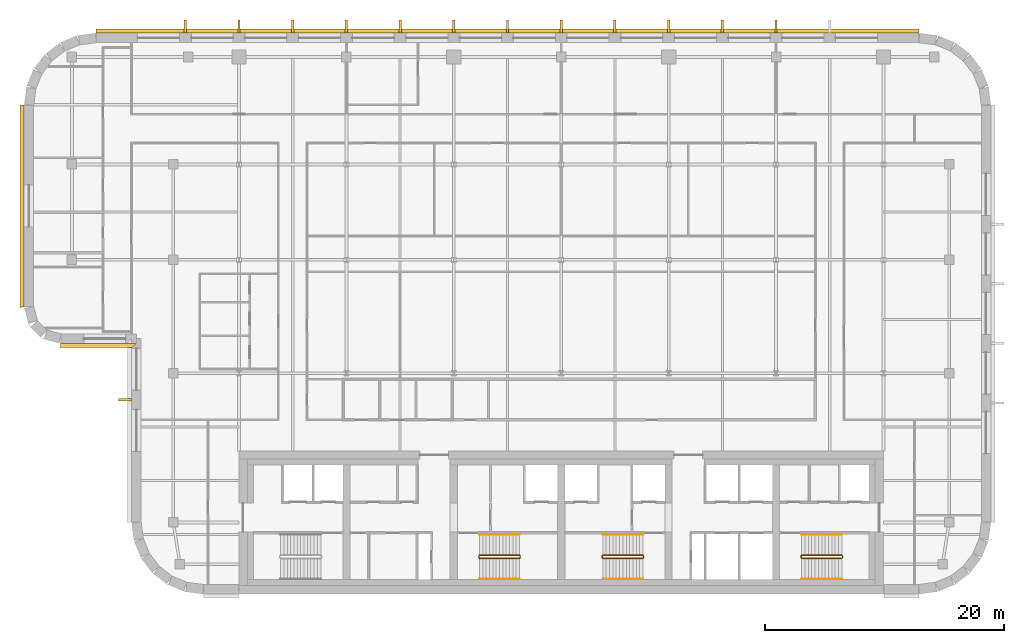
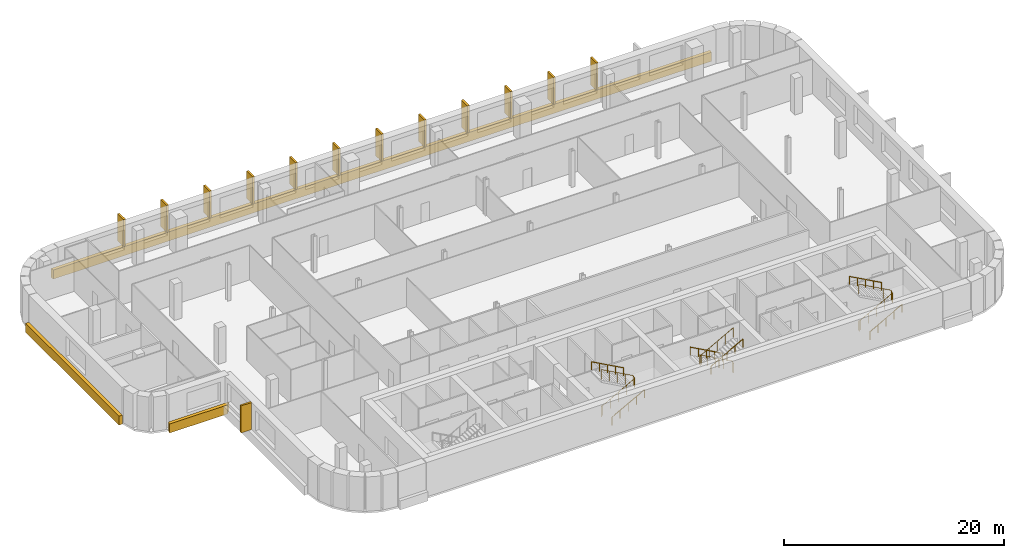
# One storey, part 14 of 16: 16 coverings, 9 railings.
"""IFC4 building model written with IfcOpenShell, lengths in metres."""

from ifc_helpers import new_model, si_unit, direction, frame, origin, origin_2d, place, context, subcontext, project, spatial, polyline, circle, outline, extrude, material, layer, layer_set, type_object, element, save


model = new_model("IFC4")

# Units and contexts
model_context = context("Model", 3, precision=1e-05, world=origin(), true_north=direction((0.0, 1.0)))
body_context = subcontext(model_context, "Body", "Model", "MODEL_VIEW")
ifc_project = project(units=[si_unit("LENGTHUNIT", "METRE"), si_unit("AREAUNIT", "SQUARE_METRE"), si_unit("VOLUMEUNIT", "CUBIC_METRE"), si_unit("PLANEANGLEUNIT", "RADIAN"), si_unit("MASSUNIT", "GRAM", prefix="KILO")], contexts=[model_context])

# Site, building, storey
site_placement = place(None, origin())
site = spatial("IfcSite", under=ifc_project, at=site_placement, CompositionType="ELEMENT")
building_placement = place(site_placement, origin())
building = spatial("IfcBuilding", under=site, at=building_placement, Name="Zellij Exchange Tower", CompositionType="ELEMENT")
storey_placement = place(building_placement, frame((0.0, 0.0, 236.5)))
storey = spatial("IfcBuildingStorey", under=building, at=storey_placement, Name="L55", CompositionType="ELEMENT", Elevation=236.5)

# Railings
ifc_material_1 = material(Name="Stainless steel", Category="steel")
railing_type_1 = type_object("IfcRailingType", Name="CORE-RG stair guard", PredefinedType="GUARDRAIL", material=ifc_material_1)
railing_1_placement = place(storey_placement, frame((-6.89990234375, -10.949951171875, 0.0)))
element("IfcRailing", 1, at=railing_1_placement, inside=storey, type_object=railing_type_1, Name="ST2 stair guard L55", PredefinedType="GUARDRAIL", context=body_context, shape_type="SweptSolid", body=[
    extrude(circle(Radius=0.02392578125, at=origin_2d()), frame((0.0, 0.0, 1.076171875), z_axis=(0.0, 1.0, 0.0), x_axis=(-1.0, 0.0, 0.0)), (0.0, 0.0, 1.0), 0.14990234375),
    extrude(circle(Radius=0.02392578125, at=origin_2d()), frame((0.0, 0.14990234375, 1.076171875), z_axis=(0.193691321961, -0.777613689637, 0.598164376644), x_axis=(0.970351222016, 0.241699205484, 0.0)), (0.0, 0.0, 1.0), 0.257080078125),
    extrude(circle(Radius=0.02392578125, at=origin_2d()), frame((0.0498046875, -0.050048828125, 1.22998046875), z_axis=(0.876421534553, 0.0, 0.481544695509), x_axis=(0.0, 1.0, 0.0)), (0.0, 0.0, 1.0), 3.833984375),
    extrude(circle(Radius=0.02392578125, at=origin_2d()), frame((3.409912109375, -0.050048828125, 3.076171875), z_axis=(0.707106781187, 0.707106781187, 0.0), x_axis=(-0.707106781187, 0.707106781187, 0.0)), (0.0, 0.0, 1.0), 0.07080078125),
    extrude(circle(Radius=0.02392578125, at=origin_2d()), frame((3.4599609375, 0.0, 3.076171875), z_axis=(0.0, 1.0, 0.0), x_axis=(-1.0, 0.0, 0.0)), (0.0, 0.0, 1.0), 0.14990234375),
    extrude(circle(Radius=0.02392578125, at=origin_2d()), frame((3.4599609375, 0.14990234375, 3.076171875), z_axis=(-0.295599637079, 0.295599637079, 0.908428152975), x_axis=(-0.707106781187, -0.707106781187, 0.0)), (0.0, 0.0, 1.0), 0.16943359375),
    extrude(circle(Radius=0.02392578125, at=origin_2d()), frame((3.409912109375, 0.199951171875, 3.22998046875), z_axis=(-0.876421534553, 0.0, 0.481544695509), x_axis=(0.0, -1.0, 0.0)), (0.0, 0.0, 1.0), 3.833984375),
    extrude(circle(Radius=0.02099609375, at=origin_2d()), origin(), (0.0, 0.0, 1.0), 1.052001953125),
    extrude(circle(Radius=0.02099609375, at=origin_2d()), frame((0.0, 0.14990234375, 0.0)), (0.0, 0.0, 1.0), 1.052001953125),
    extrude(circle(Radius=0.02099609375, at=origin_2d()), frame((0.0498046875, -0.050048828125, 0.15380859375)), (0.0, 0.0, 1.0), 1.052001953125),
    extrude(circle(Radius=0.02099609375, at=origin_2d()), frame((0.889892578125, -0.050048828125, 0.615234375)), (0.0, 0.0, 1.0), 1.052001953125),
    extrude(circle(Radius=0.02099609375, at=origin_2d()), frame((1.72998046875, -0.050048828125, 1.076904296875)), (0.0, 0.0, 1.0), 1.052001953125),
    extrude(circle(Radius=0.02099609375, at=origin_2d()), frame((2.56982421875, -0.050048828125, 1.53857421875)), (0.0, 0.0, 1.0), 1.052001953125),
    extrude(circle(Radius=0.02099609375, at=origin_2d()), frame((3.409912109375, -0.050048828125, 2.0)), (0.0, 0.0, 1.0), 1.052001953125),
    extrude(circle(Radius=0.02099609375, at=origin_2d()), frame((3.4599609375, 0.0, 2.0)), (0.0, 0.0, 1.0), 1.052001953125),
    extrude(circle(Radius=0.02099609375, at=origin_2d()), frame((3.4599609375, 0.14990234375, 2.0)), (0.0, 0.0, 1.0), 1.052001953125),
    extrude(circle(Radius=0.02099609375, at=origin_2d()), frame((3.409912109375, 0.199951171875, 2.15380859375)), (0.0, 0.0, 1.0), 1.052001953125),
    extrude(circle(Radius=0.02099609375, at=origin_2d()), frame((2.56982421875, 0.199951171875, 2.615234375)), (0.0, 0.0, 1.0), 1.052001953125),
    extrude(circle(Radius=0.02099609375, at=origin_2d()), frame((1.72998046875, 0.199951171875, 3.076904296875)), (0.0, 0.0, 1.0), 1.052001953125),
    extrude(circle(Radius=0.02099609375, at=origin_2d()), frame((0.889892578125, 0.199951171875, 3.53857421875)), (0.0, 0.0, 1.0), 1.052001953125),
    extrude(circle(Radius=0.02099609375, at=origin_2d()), frame((0.0498046875, 0.199951171875, 4.0)), (0.0, 0.0, 1.0), 1.052001953125),
])
railing_2_placement = place(storey_placement, frame((6.89990234375, -10.800048828125, 0.0)))
element("IfcRailing", 2, at=railing_2_placement, inside=storey, type_object=railing_type_1, Name="ST3 stair guard L55", PredefinedType="GUARDRAIL", context=body_context, shape_type="SweptSolid", body=[
    extrude(circle(Radius=0.02392578125, at=origin_2d()), frame((0.0, 0.0, 1.076171875), z_axis=(0.0, -1.0, 0.0), x_axis=(1.0, 0.0, 0.0)), (0.0, 0.0, 1.0), 0.14990234375),
    extrude(circle(Radius=0.02392578125, at=origin_2d()), frame((0.0, -0.14990234375, 1.076171875), z_axis=(-0.193691321961, 0.777613689637, 0.598164376644), x_axis=(-0.970351222016, -0.241699205484, 0.0)), (0.0, 0.0, 1.0), 0.257080078125),
    extrude(circle(Radius=0.02392578125, at=origin_2d()), frame((-0.0498046875, 0.050048828125, 1.22998046875), z_axis=(-0.876421534553, 0.0, 0.481544695509), x_axis=(0.0, -1.0, 0.0)), (0.0, 0.0, 1.0), 3.833984375),
    extrude(circle(Radius=0.02392578125, at=origin_2d()), frame((-3.409912109375, 0.050048828125, 3.076171875), z_axis=(-0.707106781187, -0.707106781187, 0.0), x_axis=(0.707106781187, -0.707106781187, 0.0)), (0.0, 0.0, 1.0), 0.07080078125),
    extrude(circle(Radius=0.02392578125, at=origin_2d()), frame((-3.4599609375, 0.0, 3.076171875), z_axis=(0.0, -1.0, 0.0), x_axis=(1.0, 0.0, 0.0)), (0.0, 0.0, 1.0), 0.14990234375),
    extrude(circle(Radius=0.02392578125, at=origin_2d()), frame((-3.4599609375, -0.14990234375, 3.076171875), z_axis=(0.295599637079, -0.295599637079, 0.908428152975), x_axis=(0.707106781187, 0.707106781187, 0.0)), (0.0, 0.0, 1.0), 0.16943359375),
    extrude(circle(Radius=0.02392578125, at=origin_2d()), frame((-3.409912109375, -0.199951171875, 3.22998046875), z_axis=(0.876421534553, 0.0, 0.481544695509), x_axis=(0.0, 1.0, 0.0)), (0.0, 0.0, 1.0), 3.833984375),
    extrude(circle(Radius=0.02099609375, at=origin_2d()), origin(), (0.0, 0.0, 1.0), 1.052001953125),
    extrude(circle(Radius=0.02099609375, at=origin_2d()), frame((0.0, -0.14990234375, 0.0)), (0.0, 0.0, 1.0), 1.052001953125),
    extrude(circle(Radius=0.02099609375, at=origin_2d()), frame((-0.0498046875, 0.050048828125, 0.15380859375)), (0.0, 0.0, 1.0), 1.052001953125),
    extrude(circle(Radius=0.02099609375, at=origin_2d()), frame((-0.889892578125, 0.050048828125, 0.615234375)), (0.0, 0.0, 1.0), 1.052001953125),
    extrude(circle(Radius=0.02099609375, at=origin_2d()), frame((-1.72998046875, 0.050048828125, 1.076904296875)), (0.0, 0.0, 1.0), 1.052001953125),
    extrude(circle(Radius=0.02099609375, at=origin_2d()), frame((-2.56982421875, 0.050048828125, 1.53857421875)), (0.0, 0.0, 1.0), 1.052001953125),
    extrude(circle(Radius=0.02099609375, at=origin_2d()), frame((-3.409912109375, 0.050048828125, 2.0)), (0.0, 0.0, 1.0), 1.052001953125),
    extrude(circle(Radius=0.02099609375, at=origin_2d()), frame((-3.4599609375, 0.0, 2.0)), (0.0, 0.0, 1.0), 1.052001953125),
    extrude(circle(Radius=0.02099609375, at=origin_2d()), frame((-3.4599609375, -0.14990234375, 2.0)), (0.0, 0.0, 1.0), 1.052001953125),
    extrude(circle(Radius=0.02099609375, at=origin_2d()), frame((-3.409912109375, -0.199951171875, 2.15380859375)), (0.0, 0.0, 1.0), 1.052001953125),
    extrude(circle(Radius=0.02099609375, at=origin_2d()), frame((-2.56982421875, -0.199951171875, 2.615234375)), (0.0, 0.0, 1.0), 1.052001953125),
    extrude(circle(Radius=0.02099609375, at=origin_2d()), frame((-1.72998046875, -0.199951171875, 3.076904296875)), (0.0, 0.0, 1.0), 1.052001953125),
    extrude(circle(Radius=0.02099609375, at=origin_2d()), frame((-0.889892578125, -0.199951171875, 3.53857421875)), (0.0, 0.0, 1.0), 1.052001953125),
    extrude(circle(Radius=0.02099609375, at=origin_2d()), frame((-0.0498046875, -0.199951171875, 4.0)), (0.0, 0.0, 1.0), 1.052001953125),
])
railing_3_placement = place(storey_placement, frame((20.10009765625, -10.949951171875, 0.0)))
element("IfcRailing", 3, at=railing_3_placement, inside=storey, type_object=railing_type_1, Name="ST4 stair guard L55", PredefinedType="GUARDRAIL", context=body_context, shape_type="SweptSolid", body=[
    extrude(circle(Radius=0.02392578125, at=origin_2d()), frame((0.0, 0.0, 1.076171875), z_axis=(0.0, 1.0, 0.0), x_axis=(-1.0, 0.0, 0.0)), (0.0, 0.0, 1.0), 0.14990234375),
    extrude(circle(Radius=0.02392578125, at=origin_2d()), frame((0.0, 0.14990234375, 1.076171875), z_axis=(0.193691321961, -0.777613689637, 0.598164376644), x_axis=(0.970351222016, 0.241699205484, 0.0)), (0.0, 0.0, 1.0), 0.257080078125),
    extrude(circle(Radius=0.02392578125, at=origin_2d()), frame((0.0498046875, -0.050048828125, 1.22998046875), z_axis=(0.876421534553, 0.0, 0.481544695509), x_axis=(0.0, 1.0, 0.0)), (0.0, 0.0, 1.0), 3.833984375),
    extrude(circle(Radius=0.02392578125, at=origin_2d()), frame((3.409912109375, -0.050048828125, 3.076171875), z_axis=(0.707106781187, 0.707106781187, 0.0), x_axis=(-0.707106781187, 0.707106781187, 0.0)), (0.0, 0.0, 1.0), 0.07080078125),
    extrude(circle(Radius=0.02392578125, at=origin_2d()), frame((3.4599609375, 0.0, 3.076171875), z_axis=(0.0, 1.0, 0.0), x_axis=(-1.0, 0.0, 0.0)), (0.0, 0.0, 1.0), 0.14990234375),
    extrude(circle(Radius=0.02392578125, at=origin_2d()), frame((3.4599609375, 0.14990234375, 3.076171875), z_axis=(-0.295599637079, 0.295599637079, 0.908428152975), x_axis=(-0.707106781187, -0.707106781187, 0.0)), (0.0, 0.0, 1.0), 0.16943359375),
    extrude(circle(Radius=0.02392578125, at=origin_2d()), frame((3.409912109375, 0.199951171875, 3.22998046875), z_axis=(-0.876421534553, 0.0, 0.481544695509), x_axis=(0.0, -1.0, 0.0)), (0.0, 0.0, 1.0), 3.833984375),
    extrude(circle(Radius=0.02099609375, at=origin_2d()), origin(), (0.0, 0.0, 1.0), 1.052001953125),
    extrude(circle(Radius=0.02099609375, at=origin_2d()), frame((0.0, 0.14990234375, 0.0)), (0.0, 0.0, 1.0), 1.052001953125),
    extrude(circle(Radius=0.02099609375, at=origin_2d()), frame((0.0498046875, -0.050048828125, 0.15380859375)), (0.0, 0.0, 1.0), 1.052001953125),
    extrude(circle(Radius=0.02099609375, at=origin_2d()), frame((0.889892578125, -0.050048828125, 0.615234375)), (0.0, 0.0, 1.0), 1.052001953125),
    extrude(circle(Radius=0.02099609375, at=origin_2d()), frame((1.72998046875, -0.050048828125, 1.076904296875)), (0.0, 0.0, 1.0), 1.052001953125),
    extrude(circle(Radius=0.02099609375, at=origin_2d()), frame((2.56982421875, -0.050048828125, 1.53857421875)), (0.0, 0.0, 1.0), 1.052001953125),
    extrude(circle(Radius=0.02099609375, at=origin_2d()), frame((3.409912109375, -0.050048828125, 2.0)), (0.0, 0.0, 1.0), 1.052001953125),
    extrude(circle(Radius=0.02099609375, at=origin_2d()), frame((3.4599609375, 0.0, 2.0)), (0.0, 0.0, 1.0), 1.052001953125),
    extrude(circle(Radius=0.02099609375, at=origin_2d()), frame((3.4599609375, 0.14990234375, 2.0)), (0.0, 0.0, 1.0), 1.052001953125),
    extrude(circle(Radius=0.02099609375, at=origin_2d()), frame((3.409912109375, 0.199951171875, 2.15380859375)), (0.0, 0.0, 1.0), 1.052001953125),
    extrude(circle(Radius=0.02099609375, at=origin_2d()), frame((2.56982421875, 0.199951171875, 2.615234375)), (0.0, 0.0, 1.0), 1.052001953125),
    extrude(circle(Radius=0.02099609375, at=origin_2d()), frame((1.72998046875, 0.199951171875, 3.076904296875)), (0.0, 0.0, 1.0), 1.052001953125),
    extrude(circle(Radius=0.02099609375, at=origin_2d()), frame((0.889892578125, 0.199951171875, 3.53857421875)), (0.0, 0.0, 1.0), 1.052001953125),
    extrude(circle(Radius=0.02099609375, at=origin_2d()), frame((0.0498046875, 0.199951171875, 4.0)), (0.0, 0.0, 1.0), 1.052001953125),
])
railing_type_2 = type_object("IfcRailingType", Name="CORE-RH stair handrail", PredefinedType="HANDRAIL", material=ifc_material_1)
railing_4_placement = place(storey_placement, frame((-6.85009765625, -12.75, 0.15380859375)))
element("IfcRailing", 4, at=railing_4_placement, inside=storey, type_object=railing_type_2, Name="ST2 stair handrail L55", PredefinedType="HANDRAIL", context=body_context, shape_type="SweptSolid", body=[
    extrude(circle(Radius=0.02392578125, at=origin_2d()), frame((0.0, 0.0, 0.8759765625), z_axis=(0.876421534553, 0.0, 0.481544695509), x_axis=(0.0, 1.0, 0.0)), (0.0, 0.0, 1.0), 3.833984375),
    extrude(circle(Radius=0.02099609375, at=origin_2d()), origin(), (0.0, 0.0, 1.0), 0.851806640625),
    extrude(circle(Radius=0.02099609375, at=origin_2d()), frame((0.840087890625, 0.0, 0.46142578125)), (0.0, 0.0, 1.0), 0.851806640625),
    extrude(circle(Radius=0.02099609375, at=origin_2d()), frame((1.68017578125, 0.0, 0.923095703125)), (0.0, 0.0, 1.0), 0.851806640625),
    extrude(circle(Radius=0.02099609375, at=origin_2d()), frame((2.52001953125, 0.0, 1.384765625)), (0.0, 0.0, 1.0), 0.851806640625),
    extrude(circle(Radius=0.02099609375, at=origin_2d()), frame((3.360107421875, 0.0, 1.84619140625)), (0.0, 0.0, 1.0), 0.851806640625),
])
for number, where, name in (
    (5, (-3.489990234375, -9.0, 2.15380859375), "ST2 stair handrail L55"),
    (6, (6.85009765625, -9.0, 0.15380859375), "ST3 stair handrail L55"),
):
    element("IfcRailing", number, at=place(storey_placement, frame(where)), inside=storey, type_object=railing_type_2, Name=name, PredefinedType="HANDRAIL", context=body_context, shape_type="SweptSolid", body=[
        extrude(circle(Radius=0.02392578125, at=origin_2d()), frame((0.0, 0.0, 0.8759765625), z_axis=(-0.876421534553, 0.0, 0.481544695509), x_axis=(0.0, -1.0, 0.0)), (0.0, 0.0, 1.0), 3.833984375),
        extrude(circle(Radius=0.02099609375, at=origin_2d()), origin(), (0.0, 0.0, 1.0), 0.851806640625),
        extrude(circle(Radius=0.02099609375, at=origin_2d()), frame((-0.840087890625, 0.0, 0.46142578125)), (0.0, 0.0, 1.0), 0.851806640625),
        extrude(circle(Radius=0.02099609375, at=origin_2d()), frame((-1.68017578125, 0.0, 0.923095703125)), (0.0, 0.0, 1.0), 0.851806640625),
        extrude(circle(Radius=0.02099609375, at=origin_2d()), frame((-2.52001953125, 0.0, 1.384765625)), (0.0, 0.0, 1.0), 0.851806640625),
        extrude(circle(Radius=0.02099609375, at=origin_2d()), frame((-3.360107421875, 0.0, 1.84619140625)), (0.0, 0.0, 1.0), 0.851806640625),
    ])
for number, where, name in (
    (7, (3.489990234375, -12.75, 2.15380859375), "ST3 stair handrail L55"),
    (8, (20.14990234375, -12.75, 0.15380859375), "ST4 stair handrail L55"),
):
    element("IfcRailing", number, at=place(storey_placement, frame(where)), inside=storey, type_object=railing_type_2, Name=name, PredefinedType="HANDRAIL", context=body_context, shape_type="SweptSolid", body=[
        extrude(circle(Radius=0.02392578125, at=origin_2d()), frame((0.0, 0.0, 0.8759765625), z_axis=(0.876421534553, 0.0, 0.481544695509), x_axis=(0.0, 1.0, 0.0)), (0.0, 0.0, 1.0), 3.833984375),
        extrude(circle(Radius=0.02099609375, at=origin_2d()), origin(), (0.0, 0.0, 1.0), 0.851806640625),
        extrude(circle(Radius=0.02099609375, at=origin_2d()), frame((0.840087890625, 0.0, 0.46142578125)), (0.0, 0.0, 1.0), 0.851806640625),
        extrude(circle(Radius=0.02099609375, at=origin_2d()), frame((1.68017578125, 0.0, 0.923095703125)), (0.0, 0.0, 1.0), 0.851806640625),
        extrude(circle(Radius=0.02099609375, at=origin_2d()), frame((2.52001953125, 0.0, 1.384765625)), (0.0, 0.0, 1.0), 0.851806640625),
        extrude(circle(Radius=0.02099609375, at=origin_2d()), frame((3.360107421875, 0.0, 1.84619140625)), (0.0, 0.0, 1.0), 0.851806640625),
    ])
railing_5_placement = place(storey_placement, frame((23.510009765625, -9.0, 2.15380859375)))
element("IfcRailing", 9, at=railing_5_placement, inside=storey, type_object=railing_type_2, Name="ST4 stair handrail L55", PredefinedType="HANDRAIL", context=body_context, shape_type="SweptSolid", body=[
    extrude(circle(Radius=0.02392578125, at=origin_2d()), frame((0.0, 0.0, 0.8759765625), z_axis=(-0.876421534553, 0.0, 0.481544695509), x_axis=(0.0, -1.0, 0.0)), (0.0, 0.0, 1.0), 3.833984375),
    extrude(circle(Radius=0.02099609375, at=origin_2d()), origin(), (0.0, 0.0, 1.0), 0.851806640625),
    extrude(circle(Radius=0.02099609375, at=origin_2d()), frame((-0.840087890625, 0.0, 0.46142578125)), (0.0, 0.0, 1.0), 0.851806640625),
    extrude(circle(Radius=0.02099609375, at=origin_2d()), frame((-1.68017578125, 0.0, 0.923095703125)), (0.0, 0.0, 1.0), 0.851806640625),
    extrude(circle(Radius=0.02099609375, at=origin_2d()), frame((-2.52001953125, 0.0, 1.384765625)), (0.0, 0.0, 1.0), 0.851806640625),
    extrude(circle(Radius=0.02099609375, at=origin_2d()), frame((-3.360107421875, 0.0, 1.84619140625)), (0.0, 0.0, 1.0), 0.851806640625),
])

# Coverings
ifc_material_2 = material(Name="Limestone cladding", Category="masonry")
ifc_layer = layer(ifc_material_2, 0.35009765625)
ifc_layer_set = layer_set([ifc_layer], Name="Limestone cladding")
covering_type_1 = type_object("IfcCoveringType", Name="ENV-CV10 Stone spandrel band 350", PredefinedType="CLADDING", material=ifc_layer_set)
covering_1_placement = place(storey_placement, frame((0.0, 0.0, -0.199951171875)))
element("IfcCovering", 10, at=covering_1_placement, inside=storey, type_object=covering_type_1, Name="Stone spandrel band", PredefinedType="CLADDING", context=body_context, shape_type="SweptSolid", body=[
    extrude(outline(polyline([(29.973876953125, 33.0), (-38.973876953125, 33.0), (-38.99658203125, 33.35009765625), (29.99658203125, 33.35009765625), (29.973876953125, 33.0)])), origin(), (0.0, 0.0, 1.0), 1.0),
])
covering_2_placement = place(storey_placement, frame((0.0, 0.0, -0.199951171875)))
element("IfcCovering", 11, at=covering_2_placement, inside=storey, type_object=covering_type_1, Name="Stone spandrel band", PredefinedType="CLADDING", context=body_context, shape_type="SweptSolid", body=[
    extrude(outline(polyline([(-45.0, 26.973876953125), (-45.0, 10.052734375), (-45.35009765625, 10.006591796875), (-45.35009765625, 26.99658203125), (-45.0, 26.973876953125)])), origin(), (0.0, 0.0, 1.0), 1.0),
])
covering_3_placement = place(storey_placement, frame((0.0, 0.0, -0.199951171875)))
element("IfcCovering", 12, at=covering_3_placement, inside=storey, type_object=covering_type_1, Name="Stone spandrel band", PredefinedType="CLADDING", context=body_context, shape_type="SweptSolid", body=[
    extrude(outline(polyline([(-41.947265625, 7.0), (-35.60009765625, 7.0), (-35.949951171875, 6.64990234375), (-41.993408203125, 6.64990234375), (-41.947265625, 7.0)])), origin(), (0.0, 0.0, 1.0), 1.0),
])
covering_type_2 = type_object("IfcCoveringType", Name="ENV-CV6 Stone pier 200x1100", PredefinedType="CLADDING", material=ifc_material_2)
covering_4_placement = place(storey_placement, frame((0.0, 0.0, 0.800048828125)))
element("IfcCovering", 13, at=covering_4_placement, inside=storey, type_object=covering_type_2, Name="Stone pier", PredefinedType="CLADDING", context=body_context, shape_type="SweptSolid", body=[
    extrude(outline(polyline([(18.10009765625, 33.0), (17.89990234375, 33.0), (17.89990234375, 34.10009765625), (18.10009765625, 34.10009765625), (18.10009765625, 33.0)])), origin(), (0.0, 0.0, 1.0), 3.0),
])
covering_5_placement = place(storey_placement, frame((0.0, 0.0, 0.800048828125)))
element("IfcCovering", 14, at=covering_5_placement, inside=storey, type_object=covering_type_2, Name="Stone pier", PredefinedType="CLADDING", context=body_context, shape_type="SweptSolid", body=[
    extrude(outline(polyline([(13.60009765625, 33.0), (13.39990234375, 33.0), (13.39990234375, 34.10009765625), (13.60009765625, 34.10009765625), (13.60009765625, 33.0)])), origin(), (0.0, 0.0, 1.0), 3.0),
])
covering_6_placement = place(storey_placement, frame((0.0, 0.0, 0.800048828125)))
element("IfcCovering", 15, at=covering_6_placement, inside=storey, type_object=covering_type_2, Name="Stone pier", PredefinedType="CLADDING", context=body_context, shape_type="SweptSolid", body=[
    extrude(outline(polyline([(9.10009765625, 33.0), (8.89990234375, 33.0), (8.89990234375, 34.10009765625), (9.10009765625, 34.10009765625), (9.10009765625, 33.0)])), origin(), (0.0, 0.0, 1.0), 3.0),
])
covering_7_placement = place(storey_placement, frame((0.0, 0.0, 0.800048828125)))
element("IfcCovering", 16, at=covering_7_placement, inside=storey, type_object=covering_type_2, Name="Stone pier", PredefinedType="CLADDING", context=body_context, shape_type="SweptSolid", body=[
    extrude(outline(polyline([(4.60009765625, 33.0), (4.39990234375, 33.0), (4.39990234375, 34.10009765625), (4.60009765625, 34.10009765625), (4.60009765625, 33.0)])), origin(), (0.0, 0.0, 1.0), 3.0),
])
covering_8_placement = place(storey_placement, frame((0.0, 0.0, 0.800048828125)))
element("IfcCovering", 17, at=covering_8_placement, inside=storey, type_object=covering_type_2, Name="Stone pier", PredefinedType="CLADDING", context=body_context, shape_type="SweptSolid", body=[
    extrude(outline(polyline([(0.10009765625, 33.0), (-0.10009765625, 33.0), (-0.10009765625, 34.10009765625), (0.10009765625, 34.10009765625), (0.10009765625, 33.0)])), origin(), (0.0, 0.0, 1.0), 3.0),
])
covering_9_placement = place(storey_placement, frame((0.0, 0.0, 0.800048828125)))
element("IfcCovering", 18, at=covering_9_placement, inside=storey, type_object=covering_type_2, Name="Stone pier", PredefinedType="CLADDING", context=body_context, shape_type="SweptSolid", body=[
    extrude(outline(polyline([(-4.39990234375, 33.0), (-4.60009765625, 33.0), (-4.60009765625, 34.10009765625), (-4.39990234375, 34.10009765625), (-4.39990234375, 33.0)])), origin(), (0.0, 0.0, 1.0), 3.0),
])
covering_10_placement = place(storey_placement, frame((0.0, 0.0, 0.800048828125)))
element("IfcCovering", 19, at=covering_10_placement, inside=storey, type_object=covering_type_2, Name="Stone pier", PredefinedType="CLADDING", context=body_context, shape_type="SweptSolid", body=[
    extrude(outline(polyline([(-8.89990234375, 33.0), (-9.10009765625, 33.0), (-9.10009765625, 34.10009765625), (-8.89990234375, 34.10009765625), (-8.89990234375, 33.0)])), origin(), (0.0, 0.0, 1.0), 3.0),
])
covering_11_placement = place(storey_placement, frame((0.0, 0.0, 0.800048828125)))
element("IfcCovering", 20, at=covering_11_placement, inside=storey, type_object=covering_type_2, Name="Stone pier", PredefinedType="CLADDING", context=body_context, shape_type="SweptSolid", body=[
    extrude(outline(polyline([(-13.39990234375, 33.0), (-13.60009765625, 33.0), (-13.60009765625, 34.10009765625), (-13.39990234375, 34.10009765625), (-13.39990234375, 33.0)])), origin(), (0.0, 0.0, 1.0), 3.0),
])
covering_12_placement = place(storey_placement, frame((0.0, 0.0, 0.800048828125)))
element("IfcCovering", 21, at=covering_12_placement, inside=storey, type_object=covering_type_2, Name="Stone pier", PredefinedType="CLADDING", context=body_context, shape_type="SweptSolid", body=[
    extrude(outline(polyline([(-17.89990234375, 33.0), (-18.10009765625, 33.0), (-18.10009765625, 34.10009765625), (-17.89990234375, 34.10009765625), (-17.89990234375, 33.0)])), origin(), (0.0, 0.0, 1.0), 3.0),
])
covering_13_placement = place(storey_placement, frame((0.0, 0.0, 0.800048828125)))
element("IfcCovering", 22, at=covering_13_placement, inside=storey, type_object=covering_type_2, Name="Stone pier", PredefinedType="CLADDING", context=body_context, shape_type="SweptSolid", body=[
    extrude(outline(polyline([(-22.39990234375, 33.0), (-22.60009765625, 33.0), (-22.60009765625, 34.10009765625), (-22.39990234375, 34.10009765625), (-22.39990234375, 33.0)])), origin(), (0.0, 0.0, 1.0), 3.0),
])
covering_14_placement = place(storey_placement, frame((0.0, 0.0, 0.800048828125)))
element("IfcCovering", 23, at=covering_14_placement, inside=storey, type_object=covering_type_2, Name="Stone pier", PredefinedType="CLADDING", context=body_context, shape_type="SweptSolid", body=[
    extrude(outline(polyline([(-26.89990234375, 33.0), (-27.10009765625, 33.0), (-27.10009765625, 34.10009765625), (-26.89990234375, 34.10009765625), (-26.89990234375, 33.0)])), origin(), (0.0, 0.0, 1.0), 3.0),
])
covering_15_placement = place(storey_placement, frame((0.0, 0.0, 0.800048828125)))
element("IfcCovering", 24, at=covering_15_placement, inside=storey, type_object=covering_type_2, Name="Stone pier", PredefinedType="CLADDING", context=body_context, shape_type="SweptSolid", body=[
    extrude(outline(polyline([(-31.39990234375, 33.0), (-31.60009765625, 33.0), (-31.60009765625, 34.10009765625), (-31.39990234375, 34.10009765625), (-31.39990234375, 33.0)])), origin(), (0.0, 0.0, 1.0), 3.0),
])
covering_16_placement = place(storey_placement, frame((0.0, 0.0, 0.800048828125)))
element("IfcCovering", 25, at=covering_16_placement, inside=storey, type_object=covering_type_2, Name="Stone pier", PredefinedType="CLADDING", context=body_context, shape_type="SweptSolid", body=[
    extrude(outline(polyline([(-36.0, 2.37548828125), (-36.0, 2.17529296875), (-37.10009765625, 2.17529296875), (-37.10009765625, 2.37548828125), (-36.0, 2.37548828125)])), origin(), (0.0, 0.0, 1.0), 3.0),
])

save(model, "model.ifc")
